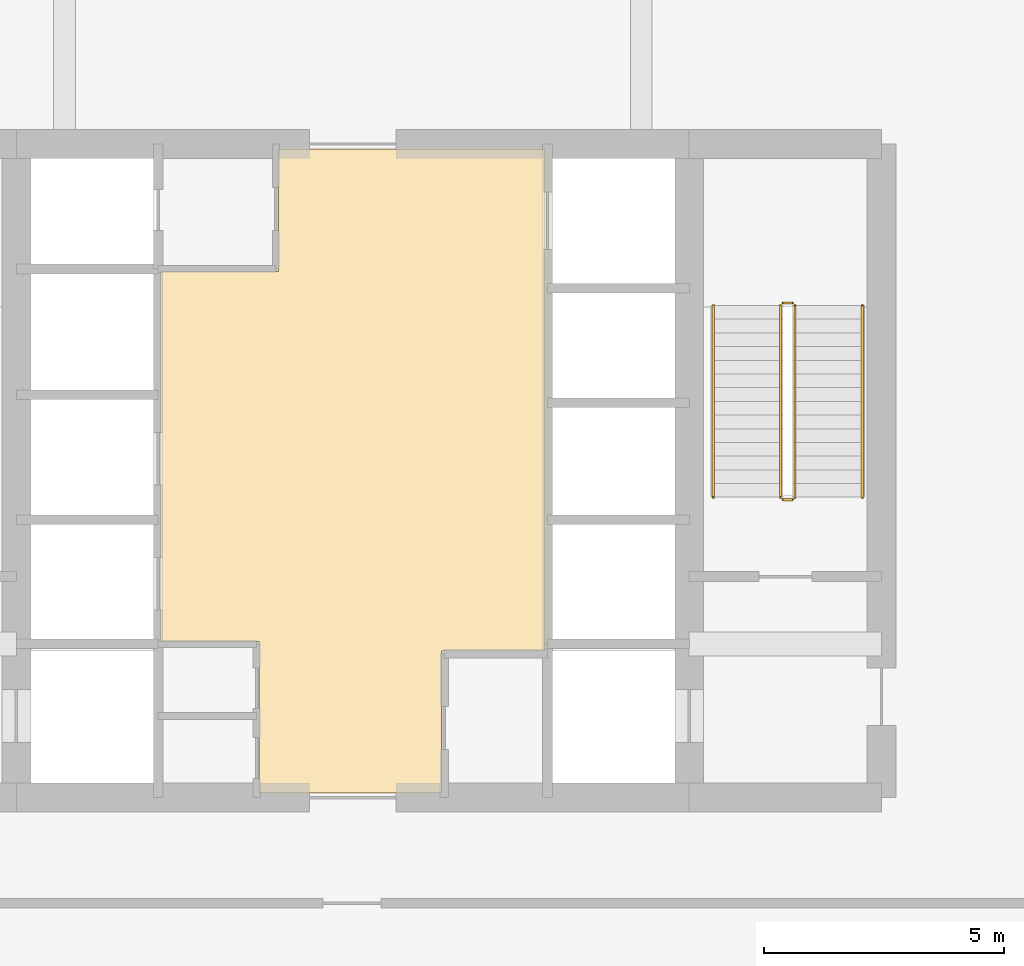
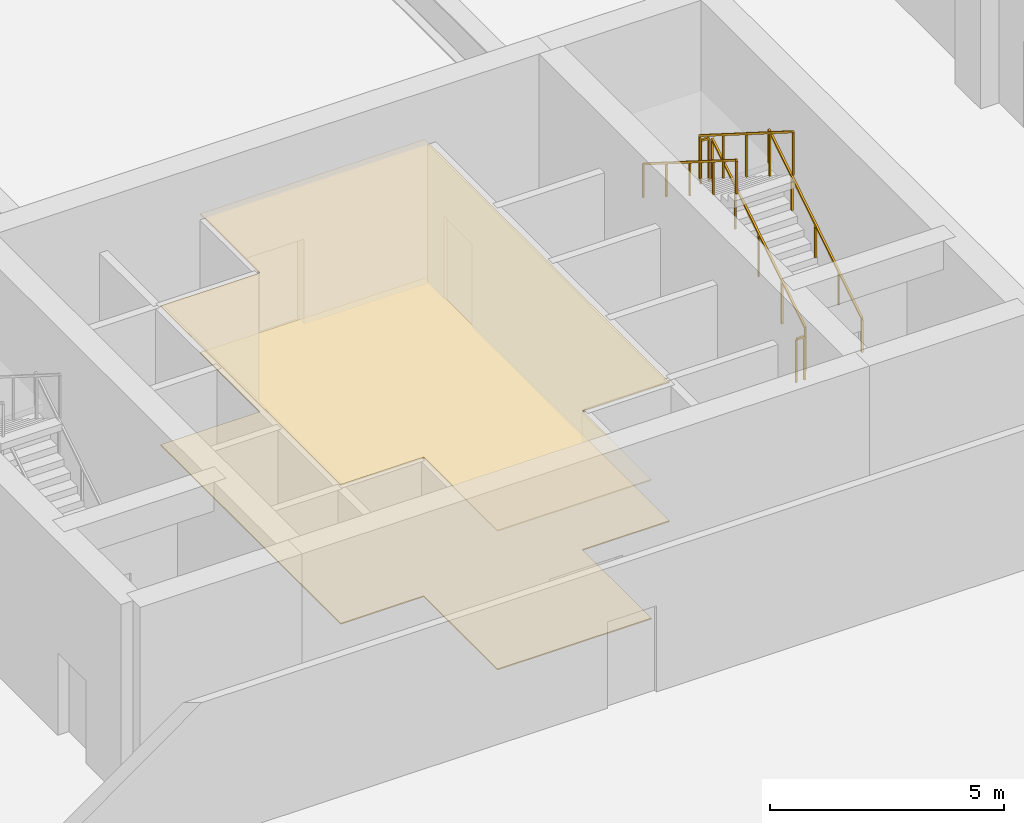
# One storey, part 11 of 12: 6 railings, 2 coverings.
"""IFC4 building model written with IfcOpenShell, lengths in metres."""

from ifc_helpers import new_model, si_unit, direction, frame, origin, origin_2d, place, context, subcontext, project, spatial, polyline, rectangle, outline, extrude, material, layer, layer_set, type_object, element, save


model = new_model("IFC4")

# Units and contexts
model_context = context("Model", 3, precision=1e-05, world=origin(), true_north=direction((0.0, 1.0)))
body_context = subcontext(model_context, "Body", "Model", "MODEL_VIEW")
ifc_project = project(units=[si_unit("LENGTHUNIT", "METRE"), si_unit("AREAUNIT", "SQUARE_METRE"), si_unit("VOLUMEUNIT", "CUBIC_METRE"), si_unit("PLANEANGLEUNIT", "RADIAN"), si_unit("MASSUNIT", "GRAM", prefix="KILO")], contexts=[model_context])

# Site, building, storey
site_placement = place(None, origin())
site = spatial("IfcSite", under=ifc_project, at=site_placement, CompositionType="ELEMENT")
building_placement = place(site_placement, origin())
building = spatial("IfcBuilding", under=site, at=building_placement, Name="Sarneth Arch Tower", CompositionType="ELEMENT")
storey_placement = place(building_placement, frame((0.0, 0.0, 16.800048828125)))
storey = spatial("IfcBuildingStorey", under=building, at=storey_placement, Name="L03", CompositionType="ELEMENT", Elevation=16.800048828125)

# Coverings
ifc_material_1 = material(Name="Perforated acoustic gypsum ceiling board")
ifc_layer_1 = layer(ifc_material_1, 0.02490234375)
ifc_layer_set_1 = layer_set([ifc_layer_1], Name="Perforated acoustic gypsum ceiling board")
covering_type_1 = type_object("IfcCoveringType", Name="COV-CEIL-GYP", PredefinedType="CEILING", material=ifc_layer_set_1)
covering_1_placement = place(storey_placement, frame((0.0, 0.0, 3.619873046875)))
element("IfcCovering", 1, at=covering_1_placement, inside=storey, type_object=covering_type_1, Name="L03 Lift lobby acoustic ceiling", PredefinedType="CEILING", context=body_context, shape_type="SweptSolid", body=[
    extrude(outline(polyline([(49.85009765625, 38.25), (49.85009765625, 35.300048828125), (46.050048828125, 35.300048828125), (46.050048828125, 38.449951171875), (44.0, 38.449951171875), (44.0, 46.14990234375), (46.449951171875, 46.14990234375), (46.449951171875, 48.699951171875), (52.0, 48.699951171875), (52.0, 38.25), (49.85009765625, 38.25)])), origin(), (0.0, 0.0, 1.0), 0.030029296875),
])
ifc_material_2 = material(Name="Honed granite stone flooring", Category="masonry")
ifc_layer_2 = layer(ifc_material_2, 0.030029296875)
ifc_layer_set_2 = layer_set([ifc_layer_2], Name="Honed granite stone flooring")
covering_type_2 = type_object("IfcCoveringType", Name="COV-FLR-STONE", PredefinedType="FLOORING", material=ifc_layer_set_2)
covering_2_placement = place(storey_placement, origin())
element("IfcCovering", 2, at=covering_2_placement, inside=storey, type_object=covering_type_2, Name="L03 Lift lobby granite flooring", PredefinedType="FLOORING", context=body_context, shape_type="SweptSolid", body=[
    extrude(outline(polyline([(49.85009765625, 38.25), (49.85009765625, 35.300048828125), (46.050048828125, 35.300048828125), (46.050048828125, 38.449951171875), (44.0, 38.449951171875), (44.0, 46.14990234375), (46.449951171875, 46.14990234375), (46.449951171875, 48.699951171875), (52.0, 48.699951171875), (52.0, 38.25), (49.85009765625, 38.25)])), origin(), (0.0, 0.0, 1.0), 0.030029296875),
])

# Railings
ifc_material_3 = material(Name="Brushed Stainless Steel 304 tubular handrail", Category="steel")
railing_type_1 = type_object("IfcRailingType", Name="RAIL-HANDRAIL-900", PredefinedType="HANDRAIL", material=ifc_material_3)
railing_1_placement = place(storey_placement, frame((58.60009765625, 41.449951171875, 0.179931640625)))
element("IfcRailing", 3, at=railing_1_placement, inside=storey, type_object=railing_type_1, Name="L03 ST-2 stair handrail 1", PredefinedType="HANDRAIL", context=body_context, shape_type="SweptSolid", body=[
    extrude(rectangle(XDim=0.048095703125, YDim=0.048095703125, at=origin_2d()), frame((0.0, 0.0, 0.8759765625), z_axis=(0.0, 0.845486444383, 0.533996884227), x_axis=(-1.0, 0.0, 0.0)), (0.0, 0.0, 1.0), 4.71923828125),
    extrude(rectangle(XDim=0.0419921875, YDim=0.0419921875, at=origin_2d()), origin(), (0.0, 0.0, 1.0), 0.851806640625),
    extrude(rectangle(XDim=0.0419921875, YDim=0.0419921875, at=origin_2d()), frame((0.0, 0.99755859375, 0.6298828125)), (0.0, 0.0, 1.0), 0.851806640625),
    extrude(rectangle(XDim=0.0419921875, YDim=0.0419921875, at=origin_2d()), frame((0.0, 1.9951171875, 1.260009765625)), (0.0, 0.0, 1.0), 0.851806640625),
    extrude(rectangle(XDim=0.0419921875, YDim=0.0419921875, at=origin_2d()), frame((0.0, 2.992431640625, 1.89013671875)), (0.0, 0.0, 1.0), 0.851806640625),
    extrude(rectangle(XDim=0.0419921875, YDim=0.0419921875, at=origin_2d()), frame((0.0, 3.989990234375, 2.52001953125)), (0.0, 0.0, 1.0), 0.851806640625),
])
railing_2_placement = place(storey_placement, frame((55.5, 45.43994140625, 2.8798828125)))
element("IfcRailing", 4, at=railing_2_placement, inside=storey, type_object=railing_type_1, Name="L03 ST-2 stair handrail 2", PredefinedType="HANDRAIL", context=body_context, shape_type="SweptSolid", body=[
    extrude(rectangle(XDim=0.048095703125, YDim=0.048095703125, at=origin_2d()), frame((0.0, 0.0, 0.8759765625), z_axis=(0.0, -0.845486444383, 0.533996884227), x_axis=(1.0, 0.0, 0.0)), (0.0, 0.0, 1.0), 4.71923828125),
    extrude(rectangle(XDim=0.0419921875, YDim=0.0419921875, at=origin_2d()), origin(), (0.0, 0.0, 1.0), 0.851806640625),
    extrude(rectangle(XDim=0.0419921875, YDim=0.0419921875, at=origin_2d()), frame((0.0, -0.99755859375, 0.6298828125)), (0.0, 0.0, 1.0), 0.851806640625),
    extrude(rectangle(XDim=0.0419921875, YDim=0.0419921875, at=origin_2d()), frame((0.0, -1.9951171875, 1.260009765625)), (0.0, 0.0, 1.0), 0.851806640625),
    extrude(rectangle(XDim=0.0419921875, YDim=0.0419921875, at=origin_2d()), frame((0.0, -2.992431640625, 1.89013671875)), (0.0, 0.0, 1.0), 0.851806640625),
    extrude(rectangle(XDim=0.0419921875, YDim=0.0419921875, at=origin_2d()), frame((0.0, -3.989990234375, 2.52001953125)), (0.0, 0.0, 1.0), 0.851806640625),
])
ifc_material_4 = material(Name="Painted Steel S275 stair well guard", Category="steel")
railing_type_2 = type_object("IfcRailingType", Name="RAIL-STAIR-GUARD", PredefinedType="GUARDRAIL", material=ifc_material_4)
railing_3_placement = place(storey_placement, frame((57.199951171875, 41.449951171875, 0.179931640625)))
element("IfcRailing", 5, at=railing_3_placement, inside=storey, type_object=railing_type_2, Name="L03 ST-2 stair guard 1", PredefinedType="GUARDRAIL", context=body_context, shape_type="SweptSolid", body=[
    extrude(rectangle(XDim=0.048095703125, YDim=0.048095703125, at=origin_2d()), frame((0.0, 0.0, 1.1259765625), z_axis=(0.0, 0.845486444383, 0.533996884227), x_axis=(-1.0, 0.0, 0.0)), (0.0, 0.0, 1.0), 4.71923828125),
    extrude(rectangle(XDim=0.0419921875, YDim=0.0419921875, at=origin_2d()), origin(), (0.0, 0.0, 1.0), 1.101806640625),
    extrude(rectangle(XDim=0.0419921875, YDim=0.0419921875, at=origin_2d()), frame((0.0, 0.99755859375, 0.6298828125)), (0.0, 0.0, 1.0), 1.101806640625),
    extrude(rectangle(XDim=0.0419921875, YDim=0.0419921875, at=origin_2d()), frame((0.0, 1.9951171875, 1.260009765625)), (0.0, 0.0, 1.0), 1.101806640625),
    extrude(rectangle(XDim=0.0419921875, YDim=0.0419921875, at=origin_2d()), frame((0.0, 2.992431640625, 1.89013671875)), (0.0, 0.0, 1.0), 1.101806640625),
    extrude(rectangle(XDim=0.0419921875, YDim=0.0419921875, at=origin_2d()), frame((0.0, 3.989990234375, 2.52001953125)), (0.0, 0.0, 1.0), 1.101806640625),
])
railing_4_placement = place(storey_placement, frame((57.14990234375, 45.489990234375, 2.699951171875)))
element("IfcRailing", 6, at=railing_4_placement, inside=storey, type_object=railing_type_2, Name="L03 ST-2 stair guard 2", PredefinedType="GUARDRAIL", context=body_context, shape_type="SweptSolid", body=[
    extrude(rectangle(XDim=0.048095703125, YDim=0.048095703125, at=origin_2d()), frame((0.0, 0.0, 1.1259765625), z_axis=(-1.0, 0.0, 0.0), x_axis=(0.0, -1.0, 0.0)), (0.0, 0.0, 1.0), 0.199951171875),
    extrude(rectangle(XDim=0.0419921875, YDim=0.0419921875, at=origin_2d()), origin(), (0.0, 0.0, 1.0), 1.101806640625),
    extrude(rectangle(XDim=0.0419921875, YDim=0.0419921875, at=origin_2d()), frame((-0.199951171875, 0.0, 0.0)), (0.0, 0.0, 1.0), 1.101806640625),
])
railing_5_placement = place(storey_placement, frame((56.89990234375, 45.43994140625, 2.8798828125)))
element("IfcRailing", 7, at=railing_5_placement, inside=storey, type_object=railing_type_2, Name="L03 ST-2 stair guard 3", PredefinedType="GUARDRAIL", context=body_context, shape_type="SweptSolid", body=[
    extrude(rectangle(XDim=0.048095703125, YDim=0.048095703125, at=origin_2d()), frame((0.0, 0.0, 1.1259765625), z_axis=(0.0, -0.845486444383, 0.533996884227), x_axis=(1.0, 0.0, 0.0)), (0.0, 0.0, 1.0), 4.71923828125),
    extrude(rectangle(XDim=0.0419921875, YDim=0.0419921875, at=origin_2d()), origin(), (0.0, 0.0, 1.0), 1.101806640625),
    extrude(rectangle(XDim=0.0419921875, YDim=0.0419921875, at=origin_2d()), frame((0.0, -0.99755859375, 0.6298828125)), (0.0, 0.0, 1.0), 1.101806640625),
    extrude(rectangle(XDim=0.0419921875, YDim=0.0419921875, at=origin_2d()), frame((0.0, -1.9951171875, 1.260009765625)), (0.0, 0.0, 1.0), 1.101806640625),
    extrude(rectangle(XDim=0.0419921875, YDim=0.0419921875, at=origin_2d()), frame((0.0, -2.992431640625, 1.89013671875)), (0.0, 0.0, 1.0), 1.101806640625),
    extrude(rectangle(XDim=0.0419921875, YDim=0.0419921875, at=origin_2d()), frame((0.0, -3.989990234375, 2.52001953125)), (0.0, 0.0, 1.0), 1.101806640625),
])
railing_6_placement = place(storey_placement, frame((57.14990234375, 41.39990234375, 0.0)))
element("IfcRailing", 8, at=railing_6_placement, inside=storey, type_object=railing_type_2, Name="L03 ST-2 stair guard 4", PredefinedType="GUARDRAIL", context=body_context, shape_type="SweptSolid", body=[
    extrude(rectangle(XDim=0.048095703125, YDim=0.048095703125, at=origin_2d()), frame((0.0, 0.0, 1.1259765625), z_axis=(-1.0, 0.0, 0.0), x_axis=(0.0, -1.0, 0.0)), (0.0, 0.0, 1.0), 0.199951171875),
    extrude(rectangle(XDim=0.0419921875, YDim=0.0419921875, at=origin_2d()), origin(), (0.0, 0.0, 1.0), 1.101806640625),
    extrude(rectangle(XDim=0.0419921875, YDim=0.0419921875, at=origin_2d()), frame((-0.199951171875, 0.0, 0.0)), (0.0, 0.0, 1.0), 1.101806640625),
])

save(model, "model.ifc")
